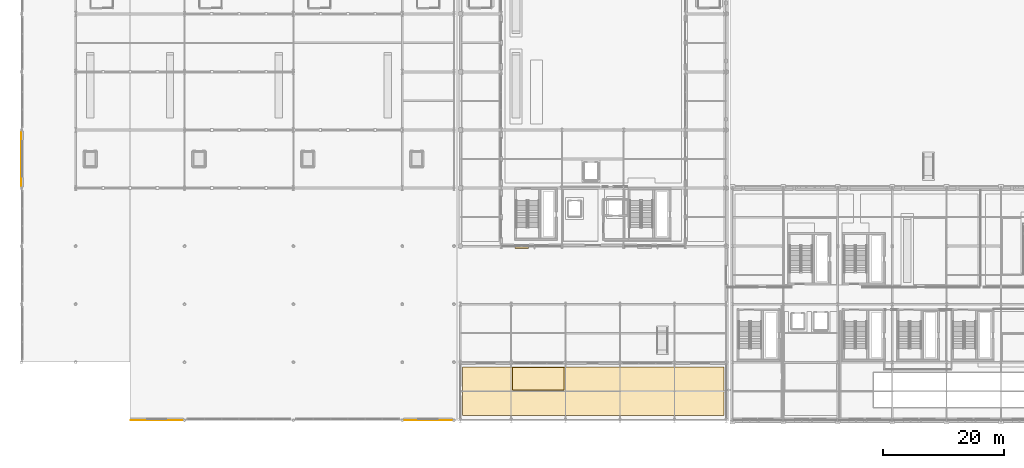
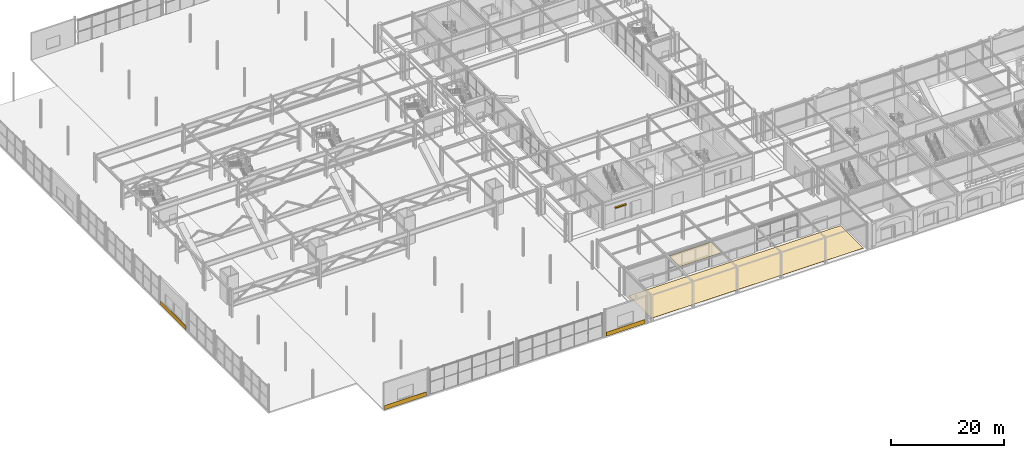
# One storey, part 79 of 113: 5 coverings, 1 shading device.
"""IFC4 building model written with IfcOpenShell, lengths in metres."""

from ifc_helpers import new_model, si_unit, direction, frame, origin, origin_2d, place, context, subcontext, project, spatial, polyline, rectangle, outline, extrude, material, layer, layer_set, type_object, element, save


model = new_model("IFC4")

# Units and contexts
model_context = context("Model", 3, precision=1e-05, world=origin(), true_north=direction((0.0, 1.0)))
body_context = subcontext(model_context, "Body", "Model", "MODEL_VIEW")
ifc_project = project(units=[si_unit("LENGTHUNIT", "METRE"), si_unit("AREAUNIT", "SQUARE_METRE"), si_unit("VOLUMEUNIT", "CUBIC_METRE"), si_unit("PLANEANGLEUNIT", "RADIAN"), si_unit("MASSUNIT", "GRAM", prefix="KILO")], contexts=[model_context])

# Site, building, storey
site_placement = place(None, origin())
site = spatial("IfcSite", under=ifc_project, at=site_placement, CompositionType="ELEMENT")
building_placement = place(site_placement, origin())
building = spatial("IfcBuilding", under=site, at=building_placement, Name="Myrtia Square Station", CompositionType="ELEMENT")
storey_placement = place(building_placement, origin())
storey = spatial("IfcBuildingStorey", under=building, at=storey_placement, Name="L00", CompositionType="ELEMENT", Elevation=0.0)

# Coverings
ifc_material_1 = material(Name="Gypsum plasterboard")
ifc_layer_1 = layer(ifc_material_1, 0.034912109375, Name="Gypsum plasterboard")
ifc_layer_set_1 = layer_set([ifc_layer_1], Name="Gypsum plasterboard")
covering_type_1 = type_object("IfcCoveringType", Name="COV-CEIL-ACOUSTIC", PredefinedType="CEILING", material=ifc_layer_set_1)
covering_1_placement = place(storey_placement, frame((0.0, 0.0, 5.72509765625)))
element("IfcCovering", 1, at=covering_1_placement, inside=storey, type_object=covering_type_1, Name="Acoustic coffer ceiling L00-08", PredefinedType="CEILING", context=body_context, shape_type="SweptSolid", body=[
    extrude(outline(polyline([(89.780029296875, 8.75), (89.780029296875, 5.02001953125), (81.219970703125, 5.02001953125), (81.219970703125, 8.75), (89.780029296875, 8.75)])), origin(), (0.0, 0.0, 1.0), 0.034912109375),
])
ifc_material_2 = material(Name="Pentelic marble ashlar", Category="masonry")
ifc_layer_2 = layer(ifc_material_2, 0.050048828125, Name="Pentelic marble ashlar")
ifc_layer_set_2 = layer_set([ifc_layer_2], Name="Pentelic marble ashlar")
covering_type_2 = type_object("IfcCoveringType", Name="COV-CLAD-ASHLAR", PredefinedType="CLADDING", material=ifc_layer_set_2)
covering_2_placement = place(storey_placement, frame((0.014892578125, 43.199951171875, 0.0), z_axis=(0.0, 0.0, 1.0), x_axis=(0.0, 1.0, 0.0)))
element("IfcCovering", 2, at=covering_2_placement, inside=storey, type_object=covering_type_2, Name="Spanish Colonial Revival dado cladding 005", PredefinedType="CLADDING", context=body_context, shape_type="SweptSolid", body=[
    extrude(rectangle(XDim=8.98388671875, YDim=0.050048828125, at=origin_2d()), origin(), (0.0, 0.0, 1.0), 0.8798828125),
])
covering_3_placement = place(storey_placement, frame((22.39599609375, 0.014892578125, 0.0), z_axis=(0.0, 0.0, 1.0), x_axis=(1.0, 0.0, 0.0)))
element("IfcCovering", 3, at=covering_3_placement, inside=storey, type_object=covering_type_2, Name="Spanish Colonial Revival dado cladding 007", PredefinedType="CLADDING", context=body_context, shape_type="SweptSolid", body=[
    extrude(rectangle(XDim=8.592041015625, YDim=0.050048828125, at=origin_2d()), origin(), (0.0, 0.0, 1.0), 0.8798828125),
])
covering_4_placement = place(storey_placement, frame((67.27490234375, 0.014892578125, 0.0), z_axis=(0.0, 0.0, 1.0), x_axis=(1.0, 0.0, 0.0)))
element("IfcCovering", 4, at=covering_4_placement, inside=storey, type_object=covering_type_2, Name="Spanish Colonial Revival dado cladding 009", PredefinedType="CLADDING", context=body_context, shape_type="SweptSolid", body=[
    extrude(rectangle(XDim=7.93408203125, YDim=0.050048828125, at=origin_2d()), origin(), (0.0, 0.0, 1.0), 0.8798828125),
])
ifc_material_3 = material(Name="Terrazzo stone tile", Category="masonry")
ifc_layer_3 = layer(ifc_material_3, 0.02490234375, Name="Terrazzo stone tile")
ifc_layer_set_3 = layer_set([ifc_layer_3], Name="Terrazzo stone tile")
covering_type_3 = type_object("IfcCoveringType", Name="COV-FLR-TERRAZZO", PredefinedType="FLOORING", material=ifc_layer_set_3)
covering_5_placement = place(storey_placement, origin())
element("IfcCovering", 5, at=covering_5_placement, inside=storey, type_object=covering_type_3, Name="Terrazzo room flooring L00-08", PredefinedType="FLOORING", context=body_context, shape_type="SweptSolid", body=[
    extrude(outline(polyline([(73.0, 8.800048828125), (116.199951171875, 8.800048828125), (116.199951171875, 0.800048828125), (73.0, 0.800048828125), (73.0, 8.800048828125)])), origin(), (0.0, 0.0, 1.0), 0.02490234375),
])

# Shading device
ifc_material_4 = material(Name="Dark bronze anodised aluminium", Category="aluminium")
shading_device_type = type_object("IfcShadingDeviceType", Name="SHD-JALOUSIE-BRONZE", PredefinedType="JALOUSIE", material=ifc_material_4)
shading_device_placement = place(storey_placement, frame((82.751953125, 28.60009765625, 3.83984375), z_axis=(0.0, 0.0, 1.0), x_axis=(1.0, 0.0, 0.0)))
element("IfcShadingDevice", 6, at=shading_device_placement, inside=storey, type_object=shading_device_type, Name="Mediterranean bronze solar louvre SHL-001", PredefinedType="JALOUSIE", context=body_context, shape_type="SweptSolid", body=[
    extrude(rectangle(XDim=2.260009765625, YDim=0.35009765625, at=origin_2d()), origin(), (0.0, 0.0, 1.0), 0.219970703125),
])

save(model, "model.ifc")
